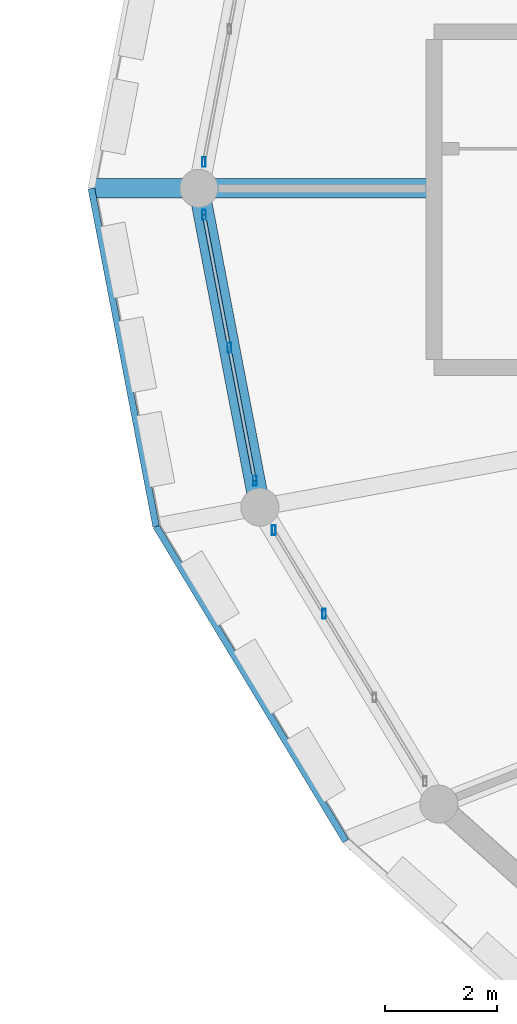
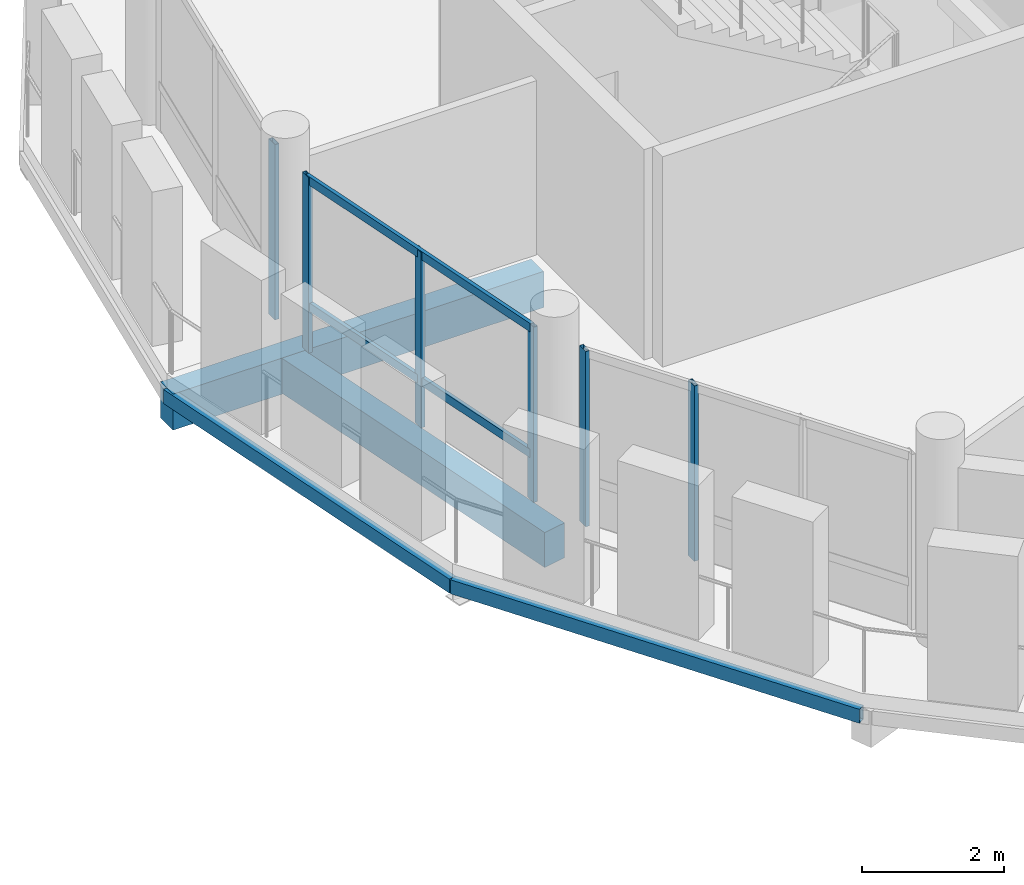
# One storey, part 33 of 128: 8 members, 4 beams, 3 elements without a shape of their own.
"""IFC4 building model written with IfcOpenShell, lengths in metres."""

from ifc_helpers import new_model, si_unit, direction, frame, origin, origin_2d, place, context, subcontext, project, spatial, rectangle, hollow_rectangle, extrude, material, material_profile, profile_set, type_object, element, aggregate, save


model = new_model("IFC4")

# Units and contexts
model_context = context("Model", 3, precision=1e-05, world=origin(), true_north=direction((0.0, 1.0)))
body_context = subcontext(model_context, "Body", "Model", "MODEL_VIEW")
ifc_project = project(units=[si_unit("LENGTHUNIT", "METRE"), si_unit("AREAUNIT", "SQUARE_METRE"), si_unit("VOLUMEUNIT", "CUBIC_METRE"), si_unit("PLANEANGLEUNIT", "RADIAN"), si_unit("MASSUNIT", "GRAM", prefix="KILO")], contexts=[model_context])

# Site, building, storey
site_placement = place(None, origin())
site = spatial("IfcSite", under=ifc_project, at=site_placement, CompositionType="ELEMENT")
building_placement = place(site_placement, origin())
building = spatial("IfcBuilding", under=site, at=building_placement, Name="Zornivar Specialist Clinic", CompositionType="ELEMENT")
storey_placement = place(building_placement, frame((0.0, 0.0, 4.5)))
storey = spatial("IfcBuildingStorey", under=building, at=storey_placement, Name="L01", CompositionType="ELEMENT", Elevation=4.5)

# Beams
ifc_material_1 = material(Name="Concrete C30/37", Category="concrete")
ifc_material_profile_1 = material_profile(ifc_material_1, rectangle(XDim=0.35009765625, YDim=0.6201171875, at=origin_2d()), Name="RC 350x620")
ifc_profile_set_1 = profile_set([ifc_material_profile_1], Name="Concrete C30/37")
beam_type_1 = type_object("IfcBeamType", Name="BM-RC-CANT-350x620", PredefinedType="BEAM", material=ifc_profile_set_1)
beam_1_placement = place(storey_placement, frame((65.699951171875, 57.60009765625, -0.550048828125), z_axis=(-1.0, 0.0, 0.0), x_axis=(0.0, -1.0, 0.0)))
element("IfcBeam", 1, at=beam_1_placement, inside=storey, type_object=beam_type_1, Name="bm:V1:L01:radcant:12", PredefinedType="BEAM", context=body_context, shape_type="SweptSolid", body=[
    extrude(rectangle(XDim=0.35009765625, YDim=0.6201171875, at=origin_2d()), origin(), (0.0, 0.0, 1.0), 6.02001953125),
])
ifc_material_2 = material(Name="Concrete C30/37", Category="concrete")
ifc_material_profile_2 = material_profile(ifc_material_2, rectangle(XDim=0.3701171875, YDim=0.60009765625, at=origin_2d()), Name="RC 370x600")
ifc_profile_set_2 = profile_set([ifc_material_profile_2], Name="Concrete C30/37")
beam_type_2 = type_object("IfcBeamType", Name="BM-RC-SPANDREL-370x600", PredefinedType="SPANDREL", material=ifc_profile_set_2)
beam_2_placement = place(storey_placement, frame((61.60009765625, 57.60009765625, -0.5400390625), z_axis=(0.187986704214, -0.982171573117, 0.0), x_axis=(0.982171573117, 0.187986704214, 0.0)))
element("IfcBeam", 2, at=beam_2_placement, inside=storey, type_object=beam_type_2, Name="bm:V1:L01:outring:12", PredefinedType="SPANDREL", context=body_context, shape_type="SweptSolid", body=[
    extrude(rectangle(XDim=0.3701171875, YDim=0.60009765625, at=origin_2d()), origin(), (0.0, 0.0, 1.0), 5.79736328125),
])
ifc_material_3 = material(Name="Steel S355J2", Category="steel")
ifc_material_profile_3 = material_profile(ifc_material_3, hollow_rectangle(XDim=0.1201171875, YDim=0.239990234375, WallThickness=0.008056640625, at=origin_2d()), Name="RHS 240x120x8")
ifc_profile_set_3 = profile_set([ifc_material_profile_3], Name="Steel S355J2")
beam_type_3 = type_object("IfcBeamType", Name="BM-STL-RHS240", PredefinedType="JOIST", material=ifc_profile_set_3)
beam_3_placement = place(storey_placement, frame((59.679931640625, 57.60009765625, -0.360107421875), z_axis=(0.188095914668, -0.982150664046, 0.0), x_axis=(0.982150664046, 0.188095914668, 0.0)))
element("IfcBeam", 3, at=beam_3_placement, inside=storey, type_object=beam_type_3, Name="bm:V1:L01:balring:12", PredefinedType="JOIST", context=body_context, shape_type="SweptSolid", body=[
    extrude(hollow_rectangle(XDim=0.1201171875, YDim=0.239990234375, WallThickness=0.008056640625, at=origin_2d()), origin(), (0.0, 0.0, 1.0), 6.145751953125),
])
beam_4_placement = place(storey_placement, frame((60.8359375, 51.56396484375, -0.360107421875), z_axis=(0.516036958114, -0.856566318425, 0.0), x_axis=(0.856566318425, 0.516036958114, 0.0)))
element("IfcBeam", 4, at=beam_4_placement, inside=storey, type_object=beam_type_3, Name="bm:V1:L01:balring:13", PredefinedType="JOIST", context=body_context, shape_type="SweptSolid", body=[
    extrude(hollow_rectangle(XDim=0.1201171875, YDim=0.239990234375, WallThickness=0.008056640625, at=origin_2d()), origin(), (0.0, 0.0, 1.0), 6.565673828125),
])

# Curtain wall, member
ifc_material_4 = material(Name="Aluminium and Low-E Glass Curtain Wall", Category="aluminium")
curtain_wall_type = type_object("IfcCurtainWallType", Name="CW-DRUM-FACET", PredefinedType="NOTDEFINED", material=ifc_material_4)
curtain_wall_1_placement = place(storey_placement, origin())
curtain_wall_1 = element("IfcCurtainWall", 5, at=curtain_wall_1_placement, inside=storey, type_object=curtain_wall_type, Name="cw:V1:L01:c11", PredefinedType="NOTDEFINED")
ifc_material_5 = material(Name="Aluminium AW-6060", Category="aluminium")
ifc_material_profile_4 = material_profile(ifc_material_5, hollow_rectangle(XDim=0.06494140625, YDim=0.175048828125, WallThickness=0.00439453125, at=origin_2d()), Name="ALU 65x175x4.5")
ifc_profile_set_4 = profile_set([ifc_material_profile_4], Name="Aluminium AW-6060")
member_type_1 = type_object("IfcMemberType", Name="CWM-MUL-175", PredefinedType="MULLION", material=ifc_profile_set_4)
member_1_placement = place(storey_placement, frame((61.68994140625, 58.071044921875, 0.0), z_axis=(0.0, 0.0, 1.0), x_axis=(1.0, 0.0, 0.0)))
member_1 = element("IfcMember", 6, at=member_1_placement, type_object=member_type_1, Name="cw:V1:L01:c11:mul:2", PredefinedType="MULLION", context=body_context, shape_type="SweptSolid", body=[
    extrude(hollow_rectangle(XDim=0.06494140625, YDim=0.175048828125, WallThickness=0.00439453125, at=origin_2d()), origin(), (0.0, 0.0, 1.0), 3.010009765625),
])
aggregate(curtain_wall_1, [member_1])

# Curtain wall, members
curtain_wall_2_placement = place(storey_placement, origin())
curtain_wall_2 = element("IfcCurtainWall", 7, at=curtain_wall_2_placement, inside=storey, type_object=curtain_wall_type, Name="cw:V1:L01:c12", PredefinedType="NOTDEFINED")
member_2_placement = place(storey_placement, frame((61.69091796875, 57.12890625, 0.0), z_axis=(0.0, 0.0, 1.0), x_axis=(1.0, 0.0, 0.0)))
member_2 = element("IfcMember", 8, at=member_2_placement, type_object=member_type_1, Name="cw:V1:L01:c12:mul:0", PredefinedType="MULLION", context=body_context, shape_type="SweptSolid", body=[
    extrude(hollow_rectangle(XDim=0.06494140625, YDim=0.175048828125, WallThickness=0.00439453125, at=origin_2d()), origin(), (0.0, 0.0, 1.0), 3.010009765625),
])
member_3_placement = place(storey_placement, frame((62.14501953125, 54.7529296875, 0.0), z_axis=(0.0, 0.0, 1.0), x_axis=(1.0, 0.0, 0.0)))
member_3 = element("IfcMember", 9, at=member_3_placement, type_object=member_type_1, Name="cw:V1:L01:c12:mul:1", PredefinedType="MULLION", context=body_context, shape_type="SweptSolid", body=[
    extrude(hollow_rectangle(XDim=0.06494140625, YDim=0.175048828125, WallThickness=0.00439453125, at=origin_2d()), origin(), (0.0, 0.0, 1.0), 3.010009765625),
])
member_4_placement = place(storey_placement, frame((62.60009765625, 52.376953125, 0.0), z_axis=(0.0, 0.0, 1.0), x_axis=(1.0, 0.0, 0.0)))
member_4 = element("IfcMember", 10, at=member_4_placement, type_object=member_type_1, Name="cw:V1:L01:c12:mul:2", PredefinedType="MULLION", context=body_context, shape_type="SweptSolid", body=[
    extrude(hollow_rectangle(XDim=0.06494140625, YDim=0.175048828125, WallThickness=0.00439453125, at=origin_2d()), origin(), (0.0, 0.0, 1.0), 3.010009765625),
])

curtain_wall_3_placement = place(storey_placement, origin())
curtain_wall_3 = element("IfcCurtainWall", 11, at=curtain_wall_3_placement, inside=storey, type_object=curtain_wall_type, Name="cw:V1:L01:c13", PredefinedType="NOTDEFINED")
member_5_placement = place(storey_placement, frame((62.93798828125, 51.4951171875, 0.0), z_axis=(0.0, 0.0, 1.0), x_axis=(1.0, 0.0, 0.0)))
member_5 = element("IfcMember", 12, at=member_5_placement, type_object=member_type_1, Name="cw:V1:L01:c13:mul:0", PredefinedType="MULLION", context=body_context, shape_type="SweptSolid", body=[
    extrude(hollow_rectangle(XDim=0.06494140625, YDim=0.175048828125, WallThickness=0.00439453125, at=origin_2d()), origin(), (0.0, 0.0, 1.0), 3.010009765625),
])
member_6_placement = place(storey_placement, frame((63.837890625, 50.0, 0.0), z_axis=(0.0, 0.0, 1.0), x_axis=(1.0, 0.0, 0.0)))
member_6 = element("IfcMember", 13, at=member_6_placement, type_object=member_type_1, Name="cw:V1:L01:c13:mul:1", PredefinedType="MULLION", context=body_context, shape_type="SweptSolid", body=[
    extrude(hollow_rectangle(XDim=0.06494140625, YDim=0.175048828125, WallThickness=0.00439453125, at=origin_2d()), origin(), (0.0, 0.0, 1.0), 3.010009765625),
])
aggregate(curtain_wall_3, [member_5, member_6])

# Member
ifc_material_6 = material(Name="Aluminium AW-6060", Category="aluminium")
ifc_material_profile_5 = material_profile(ifc_material_6, hollow_rectangle(XDim=0.06005859375, YDim=0.14501953125, WallThickness=0.00390625, at=origin_2d()), Name="ALU 60x145x4")
ifc_profile_set_5 = profile_set([ifc_material_profile_5], Name="Aluminium AW-6060")
member_type_2 = type_object("IfcMemberType", Name="CWM-TRN-145", PredefinedType="USERDEFINED", material=ifc_profile_set_5)
member_7_placement = place(storey_placement, frame((61.69091796875, 57.12890625, 0.782958984375), z_axis=(0.187724259088, -0.982221768518, 0.0), x_axis=(0.982221768518, 0.187724259088, 0.0)))
member_7 = element("IfcMember", 14, at=member_7_placement, type_object=member_type_2, Name="cw:V1:L01:c12:trn:0", ObjectType="TRANSOM", PredefinedType="USERDEFINED", context=body_context, shape_type="SweptSolid", body=[
    extrude(hollow_rectangle(XDim=0.06005859375, YDim=0.14501953125, WallThickness=0.00390625, at=origin_2d()), origin(), (0.0, 0.0, 1.0), 4.837890625),
])

member_8_placement = place(storey_placement, frame((61.69091796875, 57.12890625, 2.945068359375), z_axis=(0.187724259088, -0.982221768518, 0.0), x_axis=(0.982221768518, 0.187724259088, 0.0)))
member_8 = element("IfcMember", 15, at=member_8_placement, type_object=member_type_2, Name="cw:V1:L01:c12:trn:1", ObjectType="TRANSOM", PredefinedType="USERDEFINED", context=body_context, shape_type="SweptSolid", body=[
    extrude(hollow_rectangle(XDim=0.06005859375, YDim=0.14501953125, WallThickness=0.00390625, at=origin_2d()), origin(), (0.0, 0.0, 1.0), 4.837890625),
])

aggregate(curtain_wall_2, [member_2, member_3, member_4, member_7, member_8])

save(model, "model.ifc")
